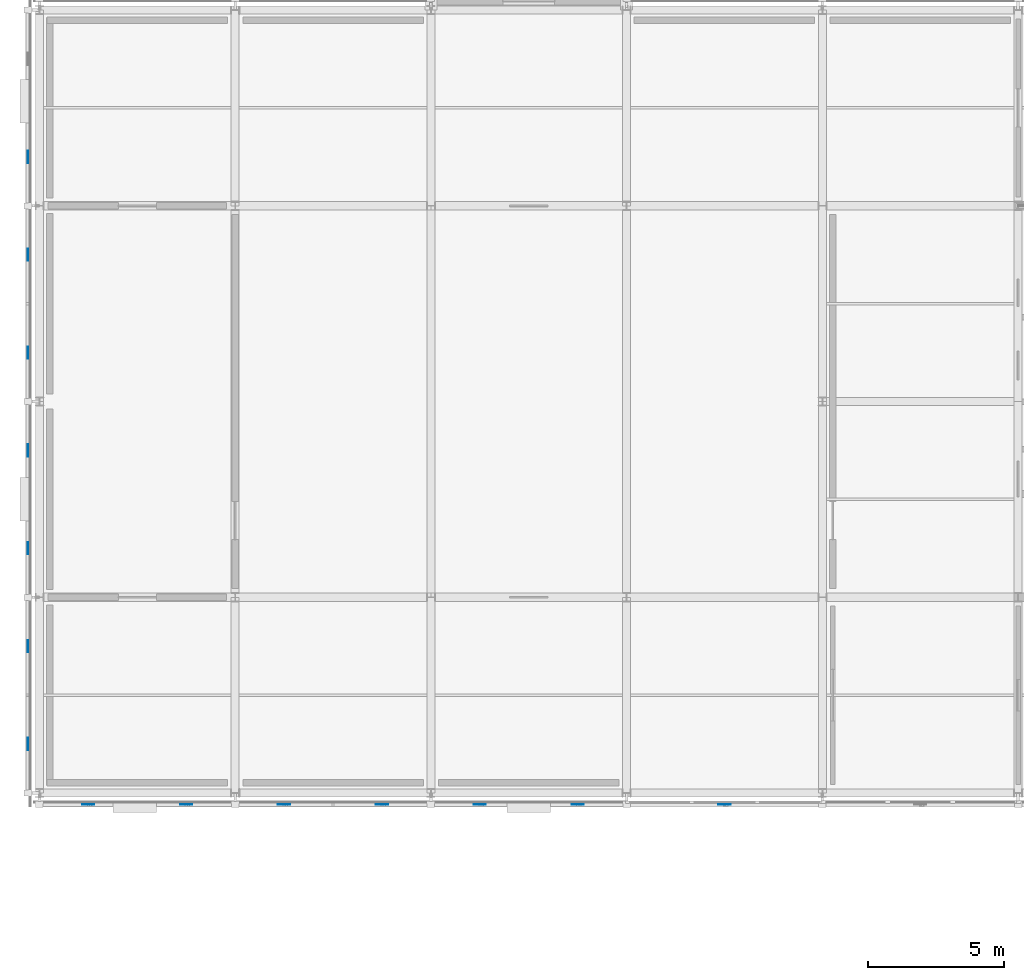
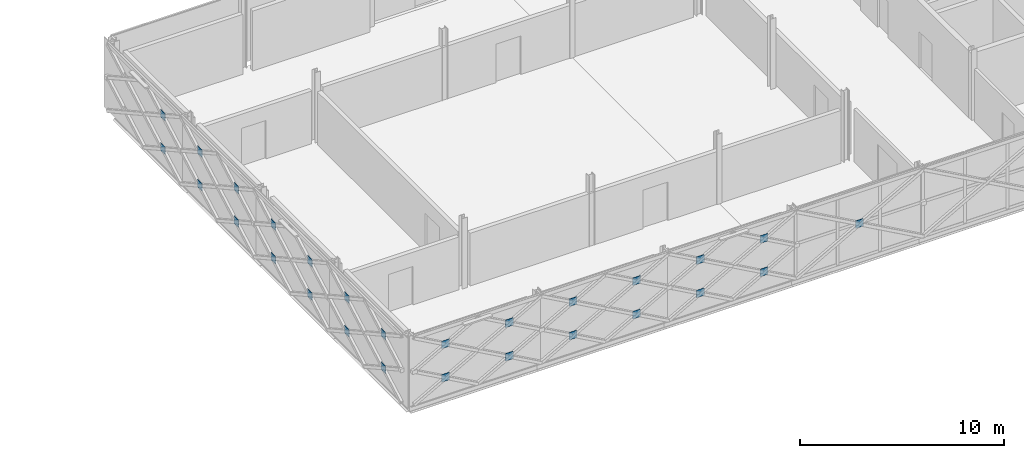
# One storey, part 97 of 146: 27 plates.
"""IFC4 building model written with IfcOpenShell, lengths in metres."""

from ifc_helpers import new_model, si_unit, direction, frame, origin, origin_2d, place, context, subcontext, project, spatial, rectangle, extrude, material, layer, layer_set, type_object, element, save


model = new_model("IFC4")

# Units and contexts
model_context = context("Model", 3, precision=1e-05, world=origin(), true_north=direction((0.0, 1.0)))
body_context = subcontext(model_context, "Body", "Model", "MODEL_VIEW")
ifc_project = project(units=[si_unit("LENGTHUNIT", "METRE"), si_unit("AREAUNIT", "SQUARE_METRE"), si_unit("VOLUMEUNIT", "CUBIC_METRE"), si_unit("PLANEANGLEUNIT", "RADIAN"), si_unit("MASSUNIT", "GRAM", prefix="KILO")], contexts=[model_context])

# Site, building, storey
site_placement = place(None, origin())
site = spatial("IfcSite", under=ifc_project, at=site_placement, CompositionType="ELEMENT")
building_placement = place(site_placement, origin())
building = spatial("IfcBuilding", under=site, at=building_placement, Name="Zlatovets Crest Museum", CompositionType="ELEMENT")
storey_placement = place(building_placement, frame((0.0, 0.0, 4.5)))
storey = spatial("IfcBuildingStorey", under=building, at=storey_placement, Name="L01", CompositionType="ELEMENT", Elevation=4.5)

# Plates
ifc_material = material(Name="Structural steel S355J2", Category="steel")
ifc_layer = layer(ifc_material, 0.02001953125)
ifc_layer_set = layer_set([ifc_layer], Name="Structural steel S355J2")
plate_type = type_object("IfcPlateType", Name="Gusset_GP-04", PredefinedType="USERDEFINED", material=ifc_layer_set)
for number, where, z_axis, x_axis, name in (
    (1, (1.800048828125, -0.419921875, 0.875), (0.0, 0.0, 1.0), (1.0, 0.0, 0.0), "X-Brace Crossing Node Gusset Plate GP-04"),
    (2, (5.39990234375, -0.419921875, 0.875), (0.0, 0.0, 1.0), (1.0, 0.0, 0.0), "X-Brace Crossing Node Gusset Plate GP-04"),
    (3, (1.800048828125, -0.419921875, 2.875), (0.0, 0.0, 1.0), (1.0, 0.0, 0.0), "X-Brace Crossing Node Gusset Plate GP-04"),
    (4, (5.39990234375, -0.419921875, 2.875), (0.0, 0.0, 1.0), (1.0, 0.0, 0.0), "X-Brace Crossing Node Gusset Plate GP-04"),
    (5, (9.0, -0.419921875, 0.875), (0.0, 0.0, 1.0), (1.0, 0.0, 0.0), "X-Brace Crossing Node Gusset Plate GP-04"),
    (6, (12.60009765625, -0.419921875, 0.875), (0.0, 0.0, 1.0), (1.0, 0.0, 0.0), "X-Brace Crossing Node Gusset Plate GP-04"),
    (7, (9.0, -0.419921875, 2.875), (0.0, 0.0, 1.0), (1.0, 0.0, 0.0), "X-Brace Crossing Node Gusset Plate GP-04"),
    (8, (12.60009765625, -0.419921875, 2.875), (0.0, 0.0, 1.0), (1.0, 0.0, 0.0), "X-Brace Crossing Node Gusset Plate GP-04"),
    (9, (16.199951171875, -0.419921875, 0.875), (0.0, 0.0, 1.0), (1.0, 0.0, 0.0), "X-Brace Crossing Node Gusset Plate GP-04"),
    (10, (19.800048828125, -0.419921875, 0.875), (0.0, 0.0, 1.0), (1.0, 0.0, 0.0), "X-Brace Crossing Node Gusset Plate GP-04"),
    (11, (16.199951171875, -0.419921875, 2.875), (0.0, 0.0, 1.0), (1.0, 0.0, 0.0), "X-Brace Crossing Node Gusset Plate GP-04"),
    (12, (19.800048828125, -0.419921875, 2.875), (0.0, 0.0, 1.0), (1.0, 0.0, 0.0), "X-Brace Crossing Node Gusset Plate GP-04"),
    (13, (25.199951171875, -0.419921875, 1.875), (0.0, 0.0, 1.0), (1.0, 0.0, 0.0), "X-Brace Crossing Node Gusset Plate GP-04"),
):
    element("IfcPlate", number, at=place(storey_placement, frame(where, z_axis=z_axis, x_axis=x_axis)), inside=storey, type_object=plate_type, Name=name, ObjectType="GUSSET", PredefinedType="USERDEFINED", context=body_context, shape_type="SweptSolid", body=[
        extrude(rectangle(XDim=0.449951171875, YDim=0.02001953125, at=origin_2d()), origin(), (0.0, 0.0, 1.0), 0.449951171875),
    ])
for number, where, z_axis, x_axis, name in (
    (14, (-0.419921875, 23.39990234375, 0.875), (0.0, 0.0, 1.0), (1.0, 0.0, 0.0), "X-Brace Crossing Node Gusset Plate GP-04"),
    (15, (-0.419921875, 23.39990234375, 2.875), (0.0, 0.0, 1.0), (1.0, 0.0, 0.0), "X-Brace Crossing Node Gusset Plate GP-04"),
    (16, (-0.419921875, 19.800048828125, 0.875), (0.0, 0.0, 1.0), (1.0, 0.0, 0.0), "X-Brace Crossing Node Gusset Plate GP-04"),
    (17, (-0.419921875, 16.199951171875, 0.875), (0.0, 0.0, 1.0), (1.0, 0.0, 0.0), "X-Brace Crossing Node Gusset Plate GP-04"),
    (18, (-0.419921875, 19.800048828125, 2.875), (0.0, 0.0, 1.0), (1.0, 0.0, 0.0), "X-Brace Crossing Node Gusset Plate GP-04"),
    (19, (-0.419921875, 16.199951171875, 2.875), (0.0, 0.0, 1.0), (1.0, 0.0, 0.0), "X-Brace Crossing Node Gusset Plate GP-04"),
    (20, (-0.419921875, 12.60009765625, 0.875), (0.0, 0.0, 1.0), (1.0, 0.0, 0.0), "X-Brace Crossing Node Gusset Plate GP-04"),
    (21, (-0.419921875, 9.0, 0.875), (0.0, 0.0, 1.0), (1.0, 0.0, 0.0), "X-Brace Crossing Node Gusset Plate GP-04"),
    (22, (-0.419921875, 12.60009765625, 2.875), (0.0, 0.0, 1.0), (1.0, 0.0, 0.0), "X-Brace Crossing Node Gusset Plate GP-04"),
    (23, (-0.419921875, 9.0, 2.875), (0.0, 0.0, 1.0), (1.0, 0.0, 0.0), "X-Brace Crossing Node Gusset Plate GP-04"),
    (24, (-0.419921875, 5.39990234375, 0.875), (0.0, 0.0, 1.0), (1.0, 0.0, 0.0), "X-Brace Crossing Node Gusset Plate GP-04"),
    (25, (-0.419921875, 1.800048828125, 0.875), (0.0, 0.0, 1.0), (1.0, 0.0, 0.0), "X-Brace Crossing Node Gusset Plate GP-04"),
    (26, (-0.419921875, 5.39990234375, 2.875), (0.0, 0.0, 1.0), (1.0, 0.0, 0.0), "X-Brace Crossing Node Gusset Plate GP-04"),
    (27, (-0.419921875, 1.800048828125, 2.875), (0.0, 0.0, 1.0), (1.0, 0.0, 0.0), "X-Brace Crossing Node Gusset Plate GP-04"),
):
    element("IfcPlate", number, at=place(storey_placement, frame(where, z_axis=z_axis, x_axis=x_axis)), inside=storey, type_object=plate_type, Name=name, ObjectType="GUSSET", PredefinedType="USERDEFINED", context=body_context, shape_type="SweptSolid", body=[
        extrude(rectangle(XDim=0.02001953125, YDim=0.449951171875, at=origin_2d()), origin(), (0.0, 0.0, 1.0), 0.449951171875),
    ])

save(model, "model.ifc")
